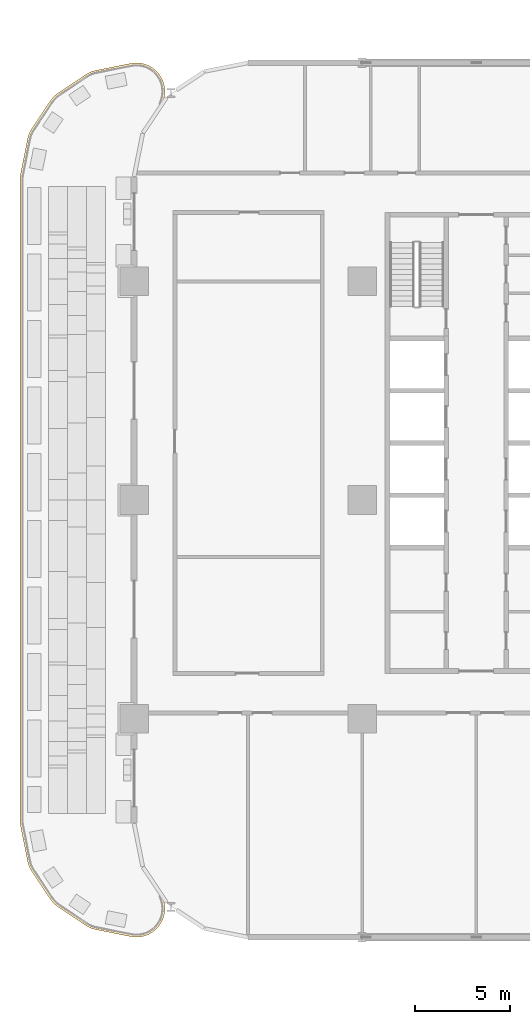
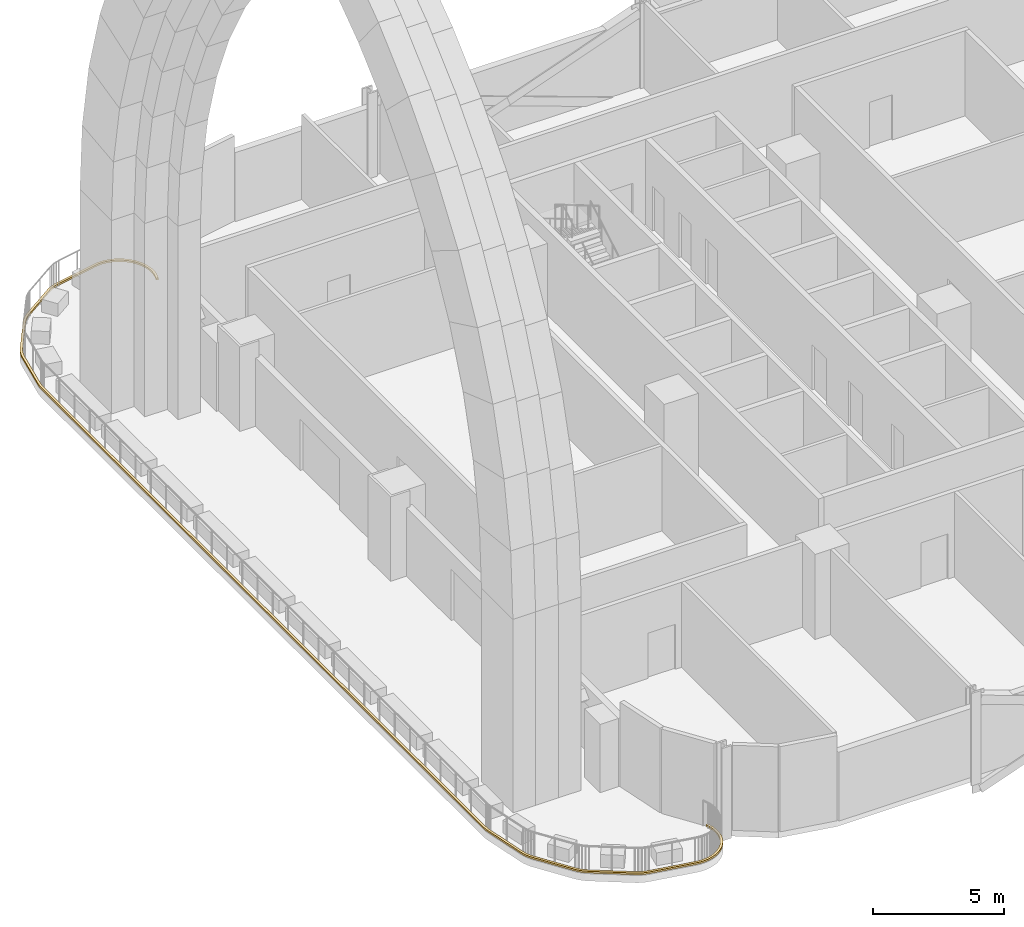
# One storey, part 22 of 29: 1 covering.
"""IFC4 building model written with IfcOpenShell, lengths in metres."""

import ifcopenshell
import ifcopenshell.guid

model = None  # the IFC model being written
_history = None  # IfcOwnerHistory: only IFC2X3 demands one
_inside = {}  # id of a spatial element -> (the spatial element, [elements in it])
_under = {}  # id of a project, library or spatial element -> (it, [spatial elements below it])
_declared = {}  # id of a project -> (the project, [libraries it declares])
_typed = {}  # id of a type object -> (the type object, [elements of that type])
_made_of = {}  # id of a material, layer set ... -> (it, [elements and type objects made of it])


def new_model(schema):
    """Start an empty IFC model of exactly this schema.

    Asked for "IFC4X3", IfcOpenShell would pick the latest addendum, in which some entities
    have other attributes; the version numbers below select the first issue.
    IFC2X3 requires an IfcOwnerHistory on every rooted entity: one is made here for all.
    """
    global model, _history
    if schema == "IFC4X3":
        model = ifcopenshell.file(schema_version=(4, 3, 0, 0))
    else:
        model = ifcopenshell.file(schema=schema)
    _inside.clear()
    _under.clear()
    _declared.clear()
    _typed.clear()
    _made_of.clear()
    _history = None
    if model.schema == "IFC2X3":
        org = make("IfcOrganization", Name="unknown")
        user = make(
            "IfcPersonAndOrganization",
            ThePerson=make("IfcPerson", FamilyName="unknown"),
            TheOrganization=org,
        )
        app = make(
            "IfcApplication",
            ApplicationDeveloper=org,
            Version="unknown",
            ApplicationFullName="unknown",
            ApplicationIdentifier="unknown",
        )
        _history = make(
            "IfcOwnerHistory",
            OwningUser=user,
            OwningApplication=app,
            ChangeAction="ADDED",
            CreationDate=0,
        )
    return model


def make(cls, **values):
    """One entity of the class cls with the attributes given. An attribute that is None is left unset."""
    return model.create_entity(
        cls, **{name: value for name, value in values.items() if value is not None}
    )


def rooted(cls, **values):
    """An entity with a GlobalId (a new one), such as an element, a storey or a relation."""
    return make(cls, GlobalId=ifcopenshell.guid.new(), OwnerHistory=_history, **values)


def si_unit(unit_type, name, prefix=None):
    """IfcSIUnit, for example si_unit("LENGTHUNIT", "METRE", prefix="MILLI")."""
    return make("IfcSIUnit", UnitType=unit_type, Prefix=prefix, Name=name)


def assignment(units):
    """IfcUnitAssignment: the units of a project."""
    return None if units is None else make("IfcUnitAssignment", Units=units)


def point(xyz):
    """IfcCartesianPoint."""
    return None if xyz is None else make("IfcCartesianPoint", Coordinates=xyz)


def direction(xyz):
    """IfcDirection."""
    return None if xyz is None else make("IfcDirection", DirectionRatios=xyz)


def frame(location, z_axis=None, x_axis=None):
    """IfcAxis2Placement3D, a coordinate frame: its origin and axes. An axis left out is left unset."""
    return make(
        "IfcAxis2Placement3D",
        Location=point(location),
        Axis=direction(z_axis),
        RefDirection=direction(x_axis),
    )


def origin():
    """The frame at (0, 0, 0) with its axes left unset."""
    return frame((0.0, 0.0, 0.0))


def place(relative_to, where):
    """IfcLocalPlacement: puts the frame where relative to a parent placement (None: the world)."""
    return make(
        "IfcLocalPlacement", PlacementRelTo=relative_to, RelativePlacement=where
    )


def context(
    kind, dimensions, precision=None, world=None, true_north=None, identifier=None
):
    """IfcGeometricRepresentationContext, for example the 3D "Model" context."""
    return make(
        "IfcGeometricRepresentationContext",
        ContextIdentifier=identifier,
        ContextType=kind,
        CoordinateSpaceDimension=dimensions,
        Precision=precision,
        WorldCoordinateSystem=world,
        TrueNorth=true_north,
    )


def subcontext(parent, identifier, kind, view, scale=None):
    """IfcGeometricRepresentationSubContext, for example "Body" below "Model"."""
    return make(
        "IfcGeometricRepresentationSubContext",
        ContextIdentifier=identifier,
        ContextType=kind,
        ParentContext=parent,
        TargetScale=scale,
        TargetView=view,
    )


def project(units=None, contexts=None):
    """IfcProject with its units and contexts."""
    return rooted(
        "IfcProject",
        Name="project",
        RepresentationContexts=contexts,
        UnitsInContext=assignment(units),
    )


def spatial(cls, under=None, at=None, **own):
    """A site, building, storey or space (cls), placed at a placement, below another one or the project."""
    s = rooted(cls, ObjectPlacement=at, **own)
    if under is not None:
        _under.setdefault(under.id(), (under, []))[1].append(s)
    return s


def polyline(points):
    """IfcPolyline through the points."""
    return make("IfcPolyline", Points=[point(p) for p in points])


def outline(outer, holes=None, kind="AREA"):
    """IfcArbitraryClosedProfileDef: a profile drawn as a closed curve; with holes, ...WithVoids."""
    if holes is None:
        return make("IfcArbitraryClosedProfileDef", ProfileType=kind, OuterCurve=outer)
    return make(
        "IfcArbitraryProfileDefWithVoids",
        ProfileType=kind,
        OuterCurve=outer,
        InnerCurves=holes,
    )


def extrude(swept, where, along, depth):
    """IfcExtrudedAreaSolid: the profile swept, set in the frame where, extruded along a direction by depth."""
    return make(
        "IfcExtrudedAreaSolid",
        SweptArea=swept,
        Position=where,
        ExtrudedDirection=direction(along),
        Depth=depth,
    )


def shape(context_of_items, identifier, shape_type, items):
    """IfcShapeRepresentation: the items that make up one representation, for example the "Body"."""
    return make(
        "IfcShapeRepresentation",
        ContextOfItems=context_of_items,
        RepresentationIdentifier=identifier,
        RepresentationType=shape_type,
        Items=items,
    )


def material(Name=None, Category=None):
    """IfcMaterial."""
    return make("IfcMaterial", Name=Name, Category=Category)


def layer(
    of_material, thickness, ventilated=None, Name=None, Category=None, Priority=None
):
    """IfcMaterialLayer: one layer of a wall or slab, of a material (None: an air gap)."""
    return make(
        "IfcMaterialLayer",
        Material=of_material,
        LayerThickness=thickness,
        IsVentilated=ventilated,
        Name=Name,
        Category=Category,
        Priority=Priority,
    )


def layer_set(layers, Name=None):
    """IfcMaterialLayerSet."""
    return make("IfcMaterialLayerSet", MaterialLayers=layers, LayerSetName=Name)


def made_of(thing, what):
    """Note that an element or type object is made of a material, layer set ...; save() writes the relation."""
    if what is not None:
        _made_of.setdefault(what.id(), (what, []))[1].append(thing)
    return thing


def type_object(cls, material=None, **own):
    """A type object (cls), such as IfcWallType, which elements share."""
    return made_of(rooted(cls, **own), material)


def element(
    cls,
    number,
    at=None,
    inside=None,
    cuts=None,
    type_object=None,
    material=None,
    context=None,
    identifier="Body",
    shape_type=None,
    held_by="IfcProductDefinitionShape",
    body=None,
    shapes=None,
    **own,
):
    """One element of the class cls, such as IfcWall. Its Tag is "e" and its number.

    at: its placement. inside: the storey or other place that contains it. cuts: it is an
    opening in that element (IfcRelVoidsElement). A single representation is given by context,
    identifier, shape_type and body (its items); several are given by shapes. held_by: the class
    of the entity that holds the representations. save() writes the other relations.
    """
    e = rooted(cls, Tag="e%d" % number, ObjectPlacement=at, **own)
    if body is not None:
        shapes = [shape(context, identifier, shape_type, body)]
    if shapes is not None:
        e.Representation = make(held_by, Representations=shapes)
    if inside is not None:
        _inside.setdefault(inside.id(), (inside, []))[1].append(e)
    if cuts is not None:
        rooted(
            "IfcRelVoidsElement", RelatingBuildingElement=cuts, RelatedOpeningElement=e
        )
    if type_object is not None:
        _typed.setdefault(type_object.id(), (type_object, []))[1].append(e)
    return made_of(e, material)


def aggregate(whole, parts):
    """IfcRelAggregates: a whole, such as a stair, and the parts it consists of."""
    return rooted("IfcRelAggregates", RelatingObject=whole, RelatedObjects=parts)


def save(model, path):
    """Write the relations noted so far, then the file.

    IfcRelAggregates (storeys below a building ...), IfcRelContainedInSpatialStructure (elements
    in a storey), IfcRelDefinesByType, IfcRelAssociatesMaterial and IfcRelDeclares: one each for
    every whole, place, type object, material and project.
    """
    for whole, parts in _under.values():
        aggregate(whole, parts)
    for where, things in _inside.values():
        rooted(
            "IfcRelContainedInSpatialStructure",
            RelatedElements=things,
            RelatingStructure=where,
        )
    for kind, things in _typed.values():
        rooted("IfcRelDefinesByType", RelatedObjects=things, RelatingType=kind)
    for what, things in _made_of.values():
        rooted("IfcRelAssociatesMaterial", RelatedObjects=things, RelatingMaterial=what)
    for by, libraries in _declared.values():
        rooted("IfcRelDeclares", RelatingContext=by, RelatedDefinitions=libraries)
    model.write(path)


model = new_model("IFC4")

# Units and contexts
model_context = context("Model", 3, precision=1e-05, world=origin(), true_north=direction((0.0, 1.0)))
body_context = subcontext(model_context, "Body", "Model", "MODEL_VIEW")
ifc_project = project(units=[si_unit("LENGTHUNIT", "METRE"), si_unit("AREAUNIT", "SQUARE_METRE"), si_unit("VOLUMEUNIT", "CUBIC_METRE"), si_unit("PLANEANGLEUNIT", "RADIAN"), si_unit("MASSUNIT", "GRAM", prefix="KILO")], contexts=[model_context])

# Site, building, storey
site_placement = place(None, origin())
site = spatial("IfcSite", under=ifc_project, at=site_placement, CompositionType="ELEMENT")
building_placement = place(site_placement, origin())
building = spatial("IfcBuilding", under=site, at=building_placement, Name="Mahtab Terrace Research Tower", CompositionType="ELEMENT")
storey_placement = place(building_placement, frame((0.0, 0.0, 46.0)))
storey = spatial("IfcBuildingStorey", under=building, at=storey_placement, Name="L10", CompositionType="ELEMENT", Elevation=46.0)

# Covering
ifc_material = material(Name="Precast concrete C40/50", Category="concrete")
ifc_layer = layer(ifc_material, 0.199951171875)
ifc_layer_set = layer_set([ifc_layer], Name="Precast coping 400")
covering_type = type_object("IfcCoveringType", Name="Precast coping 400", PredefinedType="MOLDING", material=ifc_layer_set)
covering_placement = place(storey_placement, frame((0.0, 0.0, 0.030029296875)))
element("IfcCovering", 1, at=covering_placement, inside=storey, type_object=covering_type, Name="Terrace edge coping 1.1", PredefinedType="MOLDING", context=body_context, shape_type="SweptSolid", body=[
    extrude(outline(polyline([(-40.5390625, 21.087890625), (-40.5048828125, 21.221923828125), (-40.485107421875, 21.35791015625), (-40.47802734375, 21.4951171875), (-40.485107421875, 21.632080078125), (-40.5048828125, 21.76708984375), (-40.5390625, 21.90087890625), (-40.5849609375, 22.031005859375), (-40.64306640625, 22.155029296875), (-40.714111328125, 22.27197265625), (-40.797119140625, 22.383056640625), (-40.887939453125, 22.485107421875), (-40.989990234375, 22.575927734375), (-41.10107421875, 22.658935546875), (-41.218017578125, 22.72998046875), (-41.342041015625, 22.7880859375), (-41.471923828125, 22.833984375), (-41.60595703125, 22.867919921875), (-41.740966796875, 22.887939453125), (-41.8779296875, 22.89501953125), (-42.014892578125, 22.887939453125), (-42.154052734375, 22.866943359375), (-43.98095703125, 22.5029296875), (-44.116943359375, 22.469970703125), (-44.2470703125, 22.424072265625), (-44.37109375, 22.364990234375), (-44.490966796875, 22.29296875), (-45.93798828125, 21.325927734375), (-46.050048828125, 21.243896484375), (-46.15087890625, 21.15087890625), (-46.243896484375, 21.050048828125), (-46.325927734375, 20.93798828125), (-47.29296875, 19.490966796875), (-47.364990234375, 19.37109375), (-47.424072265625, 19.2470703125), (-47.469970703125, 19.116943359375), (-47.5029296875, 18.98095703125), (-47.8720703125, 17.1279296875), (-47.89306640625, 16.989013671875), (-47.89990234375, 16.85009765625), (-47.89990234375, -16.85009765625), (-47.89306640625, -16.989013671875), (-47.8720703125, -17.1279296875), (-47.5029296875, -18.98095703125), (-47.469970703125, -19.116943359375), (-47.424072265625, -19.2470703125), (-47.364990234375, -19.37109375), (-47.29296875, -19.490966796875), (-46.325927734375, -20.93798828125), (-46.243896484375, -21.050048828125), (-46.15087890625, -21.15087890625), (-46.050048828125, -21.243896484375), (-45.93798828125, -21.325927734375), (-44.490966796875, -22.29296875), (-44.37109375, -22.364990234375), (-44.2470703125, -22.424072265625), (-44.116943359375, -22.469970703125), (-43.98095703125, -22.5029296875), (-42.154052734375, -22.866943359375), (-42.014892578125, -22.887939453125), (-41.8779296875, -22.89501953125), (-41.740966796875, -22.887939453125), (-41.60595703125, -22.867919921875), (-41.471923828125, -22.833984375), (-41.342041015625, -22.7880859375), (-41.218017578125, -22.72998046875), (-41.10107421875, -22.658935546875), (-40.989990234375, -22.575927734375), (-40.887939453125, -22.485107421875), (-40.797119140625, -22.383056640625), (-40.714111328125, -22.27197265625), (-40.64306640625, -22.155029296875), (-40.5849609375, -22.031005859375), (-40.5390625, -21.90087890625), (-40.5048828125, -21.76708984375), (-40.485107421875, -21.632080078125), (-40.47802734375, -21.4951171875), (-40.485107421875, -21.35791015625), (-40.5048828125, -21.221923828125), (-40.5390625, -21.087890625), (-40.583984375, -20.9609375), (-40.489990234375, -20.927978515625), (-40.444091796875, -21.056884765625), (-40.44189453125, -21.06103515625), (-40.407958984375, -21.199951171875), (-40.406982421875, -21.2041015625), (-40.385009765625, -21.344970703125), (-40.385009765625, -21.35107421875), (-40.3779296875, -21.492919921875), (-40.3779296875, -21.4970703125), (-40.385009765625, -21.638916015625), (-40.385009765625, -21.64501953125), (-40.406982421875, -21.784912109375), (-40.407958984375, -21.7890625), (-40.44189453125, -21.927978515625), (-40.444091796875, -21.931884765625), (-40.490966796875, -22.06689453125), (-40.492919921875, -22.071044921875), (-40.553955078125, -22.199951171875), (-40.555908203125, -22.2041015625), (-40.6298828125, -22.325927734375), (-40.632080078125, -22.330078125), (-40.718017578125, -22.444091796875), (-40.719970703125, -22.447998046875), (-40.81494140625, -22.553955078125), (-40.819091796875, -22.55810546875), (-40.925048828125, -22.653076171875), (-40.928955078125, -22.655029296875), (-41.04296875, -22.740966796875), (-41.047119140625, -22.742919921875), (-41.1689453125, -22.81689453125), (-41.173095703125, -22.819091796875), (-41.302001953125, -22.8798828125), (-41.305908203125, -22.882080078125), (-41.44091796875, -22.928955078125), (-41.445068359375, -22.930908203125), (-41.583984375, -22.965087890625), (-41.587890625, -22.966064453125), (-41.72802734375, -22.988037109375), (-41.73388671875, -22.988037109375), (-41.8759765625, -22.9951171875), (-41.8798828125, -22.9951171875), (-42.02197265625, -22.988037109375), (-42.028076171875, -22.988037109375), (-42.169921875, -22.966064453125), (-42.172119140625, -22.966064453125), (-44.001953125, -22.60107421875), (-44.00390625, -22.60107421875), (-44.14306640625, -22.56689453125), (-44.14794921875, -22.56494140625), (-44.282958984375, -22.51708984375), (-44.287109375, -22.514892578125), (-44.416015625, -22.4541015625), (-44.419921875, -22.451904296875), (-44.54296875, -22.37890625), (-44.544921875, -22.376953125), (-45.993896484375, -21.408935546875), (-45.99609375, -21.406982421875), (-46.111083984375, -21.322998046875), (-46.114990234375, -21.319091796875), (-46.219970703125, -21.22412109375), (-46.22412109375, -21.219970703125), (-46.319091796875, -21.114990234375), (-46.322998046875, -21.111083984375), (-46.406982421875, -20.99609375), (-46.408935546875, -20.993896484375), (-47.376953125, -19.544921875), (-47.37890625, -19.54296875), (-47.451904296875, -19.419921875), (-47.4541015625, -19.416015625), (-47.514892578125, -19.287109375), (-47.51708984375, -19.282958984375), (-47.56494140625, -19.14794921875), (-47.56689453125, -19.14306640625), (-47.60107421875, -19.00390625), (-47.60107421875, -19.001953125), (-47.970947265625, -17.14599609375), (-47.970947265625, -17.14404296875), (-47.992919921875, -17.001953125), (-47.992919921875, -16.99609375), (-48.0, -16.85302734375), (-48.0, -16.85107421875), (-48.0, 16.85107421875), (-48.0, 16.85302734375), (-47.992919921875, 16.99609375), (-47.992919921875, 17.001953125), (-47.970947265625, 17.14404296875), (-47.970947265625, 17.14599609375), (-47.60107421875, 19.001953125), (-47.60107421875, 19.00390625), (-47.56689453125, 19.14306640625), (-47.56494140625, 19.14794921875), (-47.51708984375, 19.282958984375), (-47.514892578125, 19.287109375), (-47.4541015625, 19.416015625), (-47.451904296875, 19.419921875), (-47.37890625, 19.54296875), (-47.376953125, 19.544921875), (-46.408935546875, 20.993896484375), (-46.406982421875, 20.99609375), (-46.322998046875, 21.111083984375), (-46.319091796875, 21.114990234375), (-46.22412109375, 21.219970703125), (-46.219970703125, 21.22412109375), (-46.114990234375, 21.319091796875), (-46.111083984375, 21.322998046875), (-45.99609375, 21.406982421875), (-45.993896484375, 21.408935546875), (-44.544921875, 22.376953125), (-44.54296875, 22.37890625), (-44.419921875, 22.451904296875), (-44.416015625, 22.4541015625), (-44.287109375, 22.514892578125), (-44.282958984375, 22.51708984375), (-44.14794921875, 22.56494140625), (-44.14306640625, 22.56689453125), (-44.00390625, 22.60107421875), (-44.001953125, 22.60107421875), (-42.172119140625, 22.966064453125), (-42.169921875, 22.966064453125), (-42.028076171875, 22.988037109375), (-42.02197265625, 22.988037109375), (-41.8798828125, 22.9951171875), (-41.8759765625, 22.9951171875), (-41.73388671875, 22.988037109375), (-41.72802734375, 22.988037109375), (-41.587890625, 22.966064453125), (-41.583984375, 22.965087890625), (-41.445068359375, 22.930908203125), (-41.44091796875, 22.928955078125), (-41.305908203125, 22.882080078125), (-41.302001953125, 22.8798828125), (-41.173095703125, 22.819091796875), (-41.1689453125, 22.81689453125), (-41.047119140625, 22.742919921875), (-41.04296875, 22.740966796875), (-40.928955078125, 22.655029296875), (-40.925048828125, 22.653076171875), (-40.819091796875, 22.55810546875), (-40.81494140625, 22.553955078125), (-40.719970703125, 22.447998046875), (-40.718017578125, 22.444091796875), (-40.632080078125, 22.330078125), (-40.6298828125, 22.325927734375), (-40.555908203125, 22.2041015625), (-40.553955078125, 22.199951171875), (-40.492919921875, 22.071044921875), (-40.490966796875, 22.06689453125), (-40.444091796875, 21.931884765625), (-40.44189453125, 21.927978515625), (-40.407958984375, 21.7890625), (-40.406982421875, 21.784912109375), (-40.385009765625, 21.64501953125), (-40.385009765625, 21.638916015625), (-40.3779296875, 21.4970703125), (-40.3779296875, 21.492919921875), (-40.385009765625, 21.35107421875), (-40.385009765625, 21.344970703125), (-40.406982421875, 21.2041015625), (-40.407958984375, 21.199951171875), (-40.44189453125, 21.06103515625), (-40.444091796875, 21.056884765625), (-40.489990234375, 20.927978515625), (-40.583984375, 20.9609375), (-40.5390625, 21.087890625)])), origin(), (0.0, 0.0, 1.0), 0.080078125),
])

save(model, "model.ifc")
